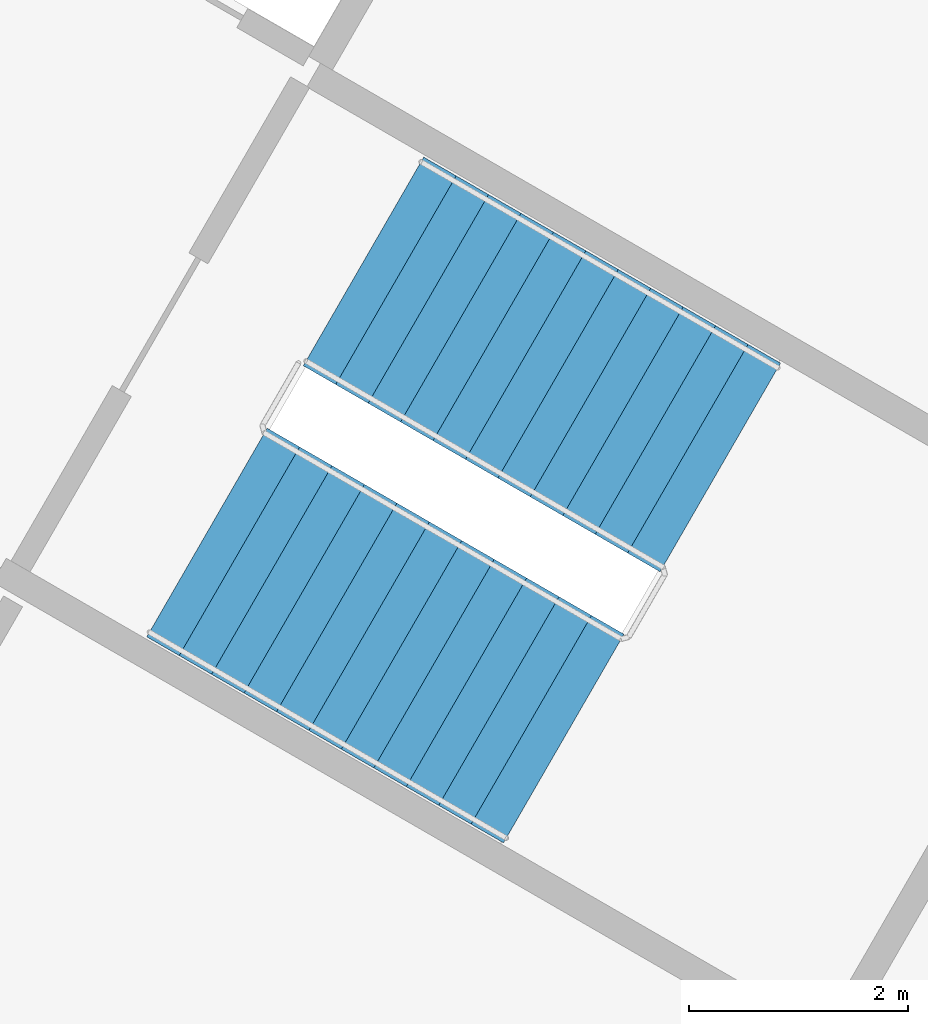
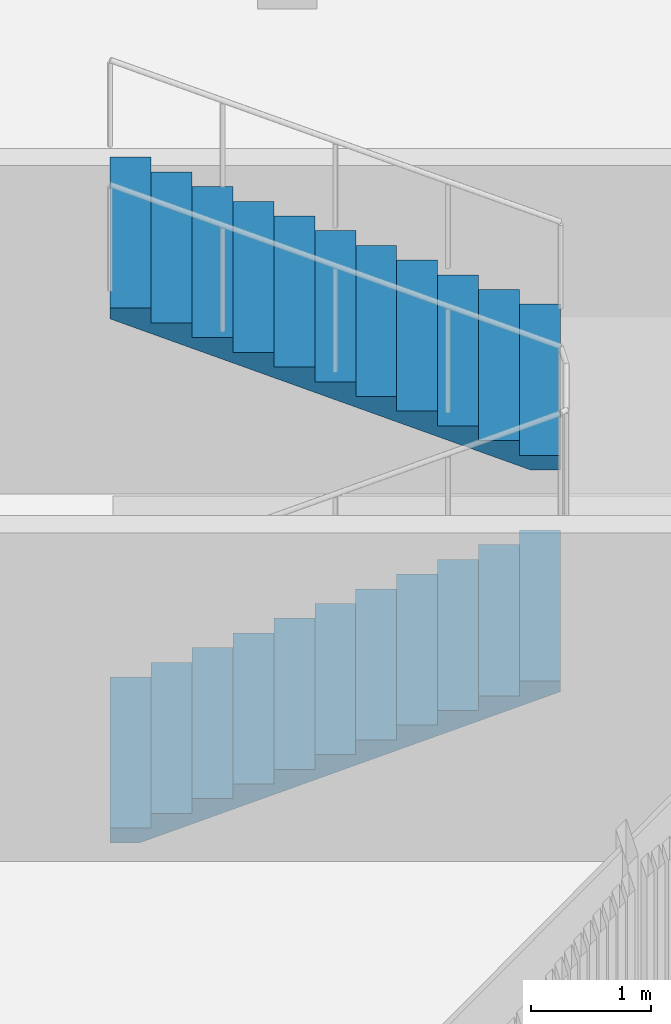
# One storey, part 8 of 16: 2 stair flights, 1 element without a shape of its own.
"""IFC4 building model written with IfcOpenShell, lengths in metres."""

from ifc_helpers import new_model, si_unit, direction, frame, origin, place, context, subcontext, project, spatial, polyline, outline, extrude, material, type_object, element, aggregate, save


model = new_model("IFC4")

# Units and contexts
model_context = context("Model", 3, precision=1e-05, world=origin(), true_north=direction((0.0, 1.0)))
body_context = subcontext(model_context, "Body", "Model", "MODEL_VIEW")
ifc_project = project(units=[si_unit("LENGTHUNIT", "METRE"), si_unit("AREAUNIT", "SQUARE_METRE"), si_unit("VOLUMEUNIT", "CUBIC_METRE"), si_unit("PLANEANGLEUNIT", "RADIAN"), si_unit("MASSUNIT", "GRAM", prefix="KILO")], contexts=[model_context])

# Site, building, storey
site_placement = place(None, origin())
site = spatial("IfcSite", under=ifc_project, at=site_placement, CompositionType="ELEMENT")
building_placement = place(site_placement, origin())
building = spatial("IfcBuilding", under=site, at=building_placement, Name="Tamra Quay Hotel Tower", CompositionType="ELEMENT")
storey_placement = place(building_placement, frame((0.0, 0.0, 327.800048828125)))
storey = spatial("IfcBuildingStorey", under=building, at=storey_placement, Name="Roof crown 3", CompositionType="ELEMENT", Elevation=327.800048828125)

# Stair, stair flights
ifc_material_1 = material(Name="Exit stair 2200 24 risers 150.0 going 342")
stair_type = type_object("IfcStairType", Name="Exit stair 2200 24 risers 150.0 going 342", PredefinedType="HALF_TURN_STAIR", material=ifc_material_1)
stair_placement = place(storey_placement, origin())
stair = element("IfcStair", 1, at=stair_placement, inside=storey, type_object=stair_type, Name="Roof crown 3 Exit stair ST1", PredefinedType="HALF_TURN_STAIR")
ifc_material_2 = material(Name="Exit stair flight 2200 12 risers 150.0")
stair_flight_type = type_object("IfcStairFlightType", Name="Exit stair flight 2200 12 risers 150.0", PredefinedType="STRAIGHT", material=ifc_material_2)
stair_flight_1_placement = place(storey_placement, frame((4.75927734375, 11.20361328125, 0.0), z_axis=(0.0, 0.0, 1.0), x_axis=(0.866025403784, -0.5, 0.0)))
stair_flight_1 = element("IfcStairFlight", 2, at=stair_flight_1_placement, type_object=stair_flight_type, Name="ST1 flight 1", NumberOfRisers=12, NumberOfTreads=11, PredefinedType="STRAIGHT", RiserHeight=0.15, TreadLength=0.342, context=body_context, shape_type="SweptSolid", body=[
    extrude(outline(polyline([(0.0, 0.0), (0.0, 0.14990234375), (0.342041015625, 0.14990234375), (0.342041015625, 0.300048828125), (0.68408203125, 0.300048828125), (0.68408203125, 0.449951171875), (1.02587890625, 0.449951171875), (1.02587890625, 0.60009765625), (1.367919921875, 0.60009765625), (1.367919921875, 0.75), (1.7099609375, 0.75), (1.7099609375, 0.89990234375), (2.052001953125, 0.89990234375), (2.052001953125, 1.050048828125), (2.39404296875, 1.050048828125), (2.39404296875, 1.199951171875), (2.736083984375, 1.199951171875), (2.736083984375, 1.35009765625), (3.077880859375, 1.35009765625), (3.077880859375, 1.5), (3.419921875, 1.5), (3.419921875, 1.64990234375), (3.761962890625, 1.64990234375), (3.761962890625, 1.800048828125), (3.761962890625, 1.540771484375), (0.249267578125, 0.0), (0.0, 0.0)])), frame((0.0, 1.10009765625, 0.0), z_axis=(0.0, -1.0, 0.0), x_axis=(1.0, 0.0, 0.0)), (0.0, 0.0, 1.0), 2.199951171875),
])
stair_flight_2_placement = place(storey_placement, frame((9.44677734375, 11.798583984375, 1.800048828125), z_axis=(0.0, 0.0, 1.0), x_axis=(-0.866025403784, 0.5, 0.0)))
stair_flight_2 = element("IfcStairFlight", 3, at=stair_flight_2_placement, type_object=stair_flight_type, Name="ST1 flight 2", NumberOfRisers=12, NumberOfTreads=11, PredefinedType="STRAIGHT", RiserHeight=0.15, TreadLength=0.342, context=body_context, shape_type="SweptSolid", body=[
    extrude(outline(polyline([(0.0, 0.0), (0.0, 0.14990234375), (0.342041015625, 0.14990234375), (0.342041015625, 0.300048828125), (0.68408203125, 0.300048828125), (0.68408203125, 0.449951171875), (1.02587890625, 0.449951171875), (1.02587890625, 0.60009765625), (1.367919921875, 0.60009765625), (1.367919921875, 0.75), (1.7099609375, 0.75), (1.7099609375, 0.89990234375), (2.052001953125, 0.89990234375), (2.052001953125, 1.050048828125), (2.39404296875, 1.050048828125), (2.39404296875, 1.199951171875), (2.736083984375, 1.199951171875), (2.736083984375, 1.35009765625), (3.077880859375, 1.35009765625), (3.077880859375, 1.5), (3.419921875, 1.5), (3.419921875, 1.64990234375), (3.761962890625, 1.64990234375), (3.761962890625, 1.800048828125), (3.761962890625, 1.540771484375), (0.249267578125, 0.0), (0.0, 0.0)])), frame((0.0, 1.10009765625, 0.0), z_axis=(0.0, -1.0, 0.0), x_axis=(1.0, 0.0, 0.0)), (0.0, 0.0, 1.0), 2.199951171875),
])
aggregate(stair, [stair_flight_1, stair_flight_2])

save(model, "model.ifc")
